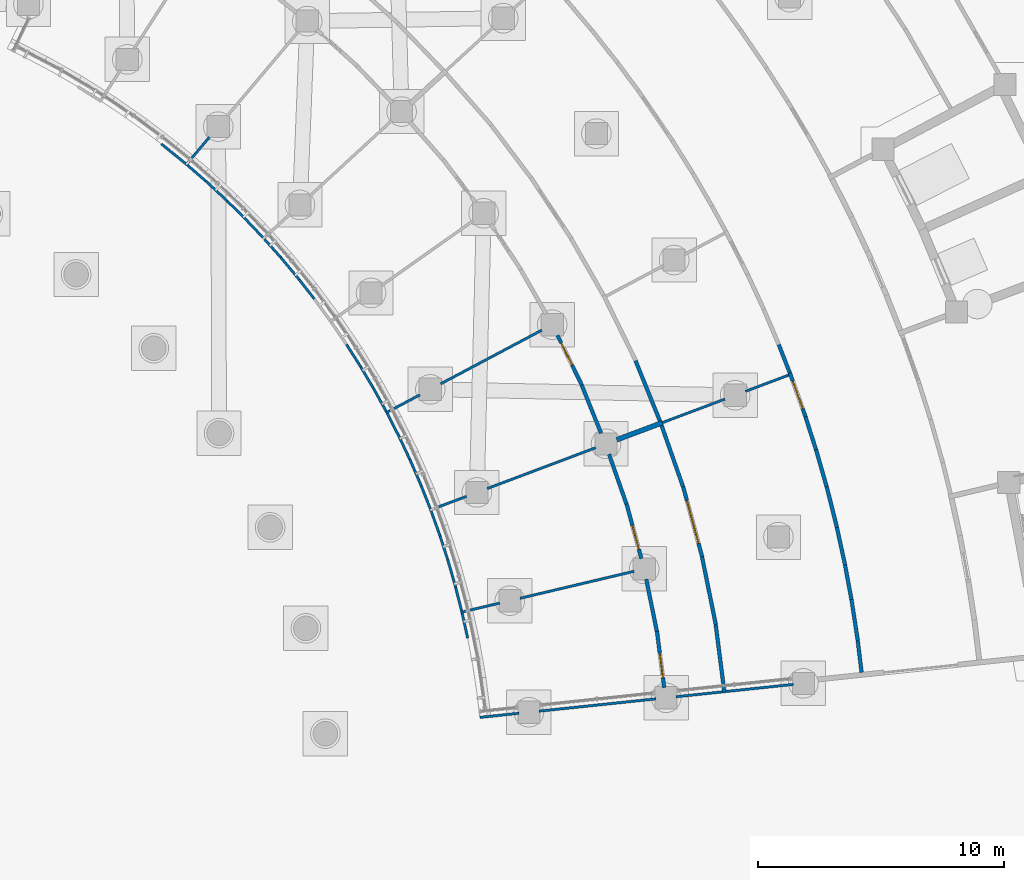
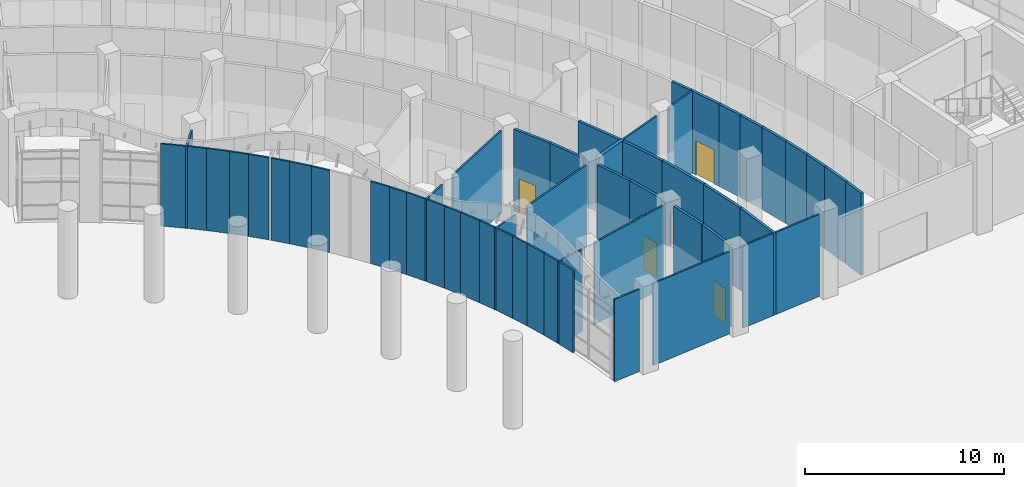
# One storey, part 75 of 146: 54 walls, 5 doors, 5 openings.
"""IFC4 building model written with IfcOpenShell, lengths in metres."""

from ifc_helpers import new_model, si_unit, direction, frame, frame_2d, origin, place, context, subcontext, project, spatial, rectangle, extrude, material, layer, layer_set, type_object, element, fill, save


model = new_model("IFC4")

# Units and contexts
model_context = context("Model", 3, precision=1e-05, world=origin(), true_north=direction((0.0, 1.0)))
body_context = subcontext(model_context, "Body", "Model", "MODEL_VIEW")
ifc_project = project(units=[si_unit("LENGTHUNIT", "METRE"), si_unit("AREAUNIT", "SQUARE_METRE"), si_unit("VOLUMEUNIT", "CUBIC_METRE"), si_unit("PLANEANGLEUNIT", "RADIAN"), si_unit("MASSUNIT", "GRAM", prefix="KILO")], contexts=[model_context])

# Site, building, storey
site_placement = place(None, origin())
site = spatial("IfcSite", under=ifc_project, at=site_placement, CompositionType="ELEMENT")
building_placement = place(site_placement, origin())
building = spatial("IfcBuilding", under=site, at=building_placement, Name="Bougainvillea Quay General Hospital", CompositionType="ELEMENT")
storey_placement = place(building_placement, origin())
storey = spatial("IfcBuildingStorey", under=building, at=storey_placement, Name="L00", CompositionType="ELEMENT", Elevation=0.0)

# Walls
ifc_material_1 = material(Name="Gypsum board partition on steel studs", Category="steel")
ifc_layer_1 = layer(ifc_material_1, 0.10009765625)
ifc_layer_set_1 = layer_set([ifc_layer_1], Name="Gypsum board partition on steel studs")
wall_type_1 = type_object("IfcWallType", Name="Partition 100 Gypsum board partition", PredefinedType="PARTITIONING", material=ifc_layer_set_1)
wall_1_placement = place(storey_placement, frame((153.008544921875, 26.60791015625, 0.0), z_axis=(0.0, 0.0, 1.0), x_axis=(0.99452300046, 0.104517948486, 0.0)))
element("IfcWall", 1, at=wall_1_placement, inside=storey, type_object=wall_type_1, Name="Partition 100 mm", PredefinedType="PARTITIONING", context=body_context, shape_type="SweptSolid", body=[
    extrude(rectangle(XDim=2.742431640625, YDim=0.10009765625, at=frame_2d((1.37109375, 0.0))), origin(), (0.0, 0.0, 1.0), 5.050048828125),
])
ifc_layer_2 = layer(ifc_material_1, 0.10009765625)
ifc_layer_set_2 = layer_set([ifc_layer_2], Name="Gypsum board partition on steel studs")
wall_type_2 = type_object("IfcWallType", Name="Partition 100 Gypsum board partition EI 30", PredefinedType="PARTITIONING", material=ifc_layer_set_2)
wall_2_placement = place(storey_placement, frame((131.078857421875, 47.959716796875, 0.0), z_axis=(0.0, 0.0, 1.0), x_axis=(0.644403525256, 0.764685619479, 0.0)))
element("IfcWall", 2, at=wall_2_placement, inside=storey, type_object=wall_type_2, Name="Partition 100 mm EI 30", PredefinedType="PARTITIONING", context=body_context, shape_type="SweptSolid", body=[
    extrude(rectangle(XDim=1.48779296875, YDim=0.10009765625, at=frame_2d((0.743896484375, 0.0))), origin(), (0.0, 0.0, 1.0), 5.050048828125),
])
wall_3_placement = place(storey_placement, frame((142.2373046875, 29.819580078125, 0.0), z_axis=(0.0, 0.0, 1.0), x_axis=(0.973152848226, 0.230159800984, 0.0)))
element("IfcWall", 3, at=wall_3_placement, inside=storey, type_object=wall_type_2, Name="Partition 100 mm EI 30", PredefinedType="PARTITIONING", context=body_context, shape_type="SweptSolid", body=[
    extrude(rectangle(XDim=1.627197265625, YDim=0.10009765625, at=frame_2d((0.8134765625, 0.0))), origin(), (0.0, 0.0, 1.0), 5.050048828125),
])
wall_4_placement = place(storey_placement, frame((144.643310546875, 30.388916015625, 0.0), z_axis=(0.0, 0.0, 1.0), x_axis=(0.973139038387, 0.230218183398, 0.0)))
element("IfcWall", 4, at=wall_4_placement, inside=storey, type_object=wall_type_2, Name="Partition 100 mm EI 30", PredefinedType="PARTITIONING", context=body_context, shape_type="SweptSolid", body=[
    extrude(rectangle(XDim=4.755126953125, YDim=0.10009765625, at=frame_2d((2.37744140625, 0.0))), origin(), (0.0, 0.0, 1.0), 5.050048828125),
])
wall_5_placement = place(storey_placement, frame((139.19287109375, 37.90771484375, 0.0), z_axis=(0.0, 0.0, 1.0), x_axis=(0.883481589726, 0.468465879884, 0.0)))
element("IfcWall", 5, at=wall_5_placement, inside=storey, type_object=wall_type_2, Name="Partition 100 mm EI 30", PredefinedType="PARTITIONING", context=body_context, shape_type="SweptSolid", body=[
    extrude(rectangle(XDim=1.5712890625, YDim=0.10009765625, at=frame_2d((0.78564453125, 0.0))), origin(), (0.0, 0.0, 1.0), 5.050048828125),
])
wall_6_placement = place(storey_placement, frame((141.427001953125, 39.092529296875, 0.0), z_axis=(0.0, 0.0, 1.0), x_axis=(0.88344099274, 0.46854243388, 0.0)))
element("IfcWall", 6, at=wall_6_placement, inside=storey, type_object=wall_type_2, Name="Partition 100 mm EI 30", PredefinedType="PARTITIONING", context=body_context, shape_type="SweptSolid", body=[
    extrude(rectangle(XDim=4.64208984375, YDim=0.10009765625, at=frame_2d((2.321044921875, 0.0))), origin(), (0.0, 0.0, 1.0), 5.050048828125),
])
wall_7_placement = place(storey_placement, frame((143.012939453125, 25.555908203125, 0.0), z_axis=(0.0, 0.0, 1.0), x_axis=(0.994495375694, 0.104780473964, 0.0)))
element("IfcWall", 7, at=wall_7_placement, inside=storey, type_object=wall_type_2, Name="Partition 100 mm EI 30", PredefinedType="PARTITIONING", context=body_context, shape_type="SweptSolid", body=[
    extrude(rectangle(XDim=1.59375, YDim=0.10009765625, at=frame_2d((0.796875, 0.0))), origin(), (0.0, 0.0, 1.0), 5.050048828125),
])
wall_8_placement = place(storey_placement, frame((145.408203125, 25.80810546875, 0.0), z_axis=(0.0, 0.0, 1.0), x_axis=(0.994509645665, 0.104644945786, 0.0)))
element("IfcWall", 8, at=wall_8_placement, inside=storey, type_object=wall_type_2, Name="Partition 100 mm EI 30", PredefinedType="PARTITIONING", context=body_context, shape_type="SweptSolid", body=[
    extrude(rectangle(XDim=4.78515625, YDim=0.10009765625, at=frame_2d((2.392578125, 0.0))), origin(), (0.0, 0.0, 1.0), 5.050048828125),
])
wall_9_placement = place(storey_placement, frame((140.97314453125, 33.96044921875, 0.0), z_axis=(0.0, 0.0, 1.0), x_axis=(0.935890679388, 0.35229055655, 0.0)))
element("IfcWall", 9, at=wall_9_placement, inside=storey, type_object=wall_type_2, Name="Partition 100 mm EI 30", PredefinedType="PARTITIONING", context=body_context, shape_type="SweptSolid", body=[
    extrude(rectangle(XDim=1.604248046875, YDim=0.10009765625, at=frame_2d((0.80224609375, 0.0))), origin(), (0.0, 0.0, 1.0), 5.050048828125),
])
wall_10_placement = place(storey_placement, frame((143.309326171875, 34.839599609375, 0.0), z_axis=(0.0, 0.0, 1.0), x_axis=(0.935891610639, 0.352288082591, 0.0)))
element("IfcWall", 10, at=wall_10_placement, inside=storey, type_object=wall_type_2, Name="Partition 100 mm EI 30", PredefinedType="PARTITIONING", context=body_context, shape_type="SweptSolid", body=[
    extrude(rectangle(XDim=4.708251953125, YDim=0.10009765625, at=frame_2d((2.35400390625, 0.0))), origin(), (0.0, 0.0, 1.0), 5.050048828125),
])
wall_11_placement = place(storey_placement, frame((150.42724609375, 37.518798828125, 0.0), z_axis=(0.0, 0.0, 1.0), x_axis=(0.935894141782, 0.352281358262, 0.0)))
element("IfcWall", 11, at=wall_11_placement, inside=storey, type_object=wall_type_2, Name="Partition 100 mm EI 30", PredefinedType="PARTITIONING", context=body_context, shape_type="SweptSolid", body=[
    extrude(rectangle(XDim=2.702880859375, YDim=0.10009765625, at=frame_2d((1.3515625, 0.0))), origin(), (0.0, 0.0, 1.0), 5.050048828125),
])
wall_12_placement = place(storey_placement, frame((153.791259765625, 38.78515625, 0.0), z_axis=(0.0, 0.0, 1.0), x_axis=(0.935884008534, 0.35230827775, 0.0)))
element("IfcWall", 12, at=wall_12_placement, inside=storey, type_object=wall_type_2, Name="Partition 100 mm EI 30", PredefinedType="PARTITIONING", context=body_context, shape_type="SweptSolid", body=[
    extrude(rectangle(XDim=1.873779296875, YDim=0.10009765625, at=frame_2d((0.93701171875, 0.0))), origin(), (0.0, 0.0, 1.0), 5.050048828125),
])
wall_13_placement = place(storey_placement, frame((150.97705078125, 26.39404296875, 0.0), z_axis=(0.0, 0.0, 1.0), x_axis=(0.99450757419, 0.104664630505, 0.0)))
element("IfcWall", 13, at=wall_13_placement, inside=storey, type_object=wall_type_2, Name="Partition 100 mm EI 30", PredefinedType="PARTITIONING", context=body_context, shape_type="SweptSolid", body=[
    extrude(rectangle(XDim=1.891845703125, YDim=0.10009765625, at=frame_2d((0.94580078125, 0.0))), origin(), (0.0, 0.0, 1.0), 5.050048828125),
])
wall_14_placement = place(storey_placement, frame((130.090087890625, 48.825927734375, 0.0), z_axis=(0.0, 0.0, 1.0), x_axis=(0.776627985422, -0.629959500492, 0.0)))
element("IfcWall", 14, at=wall_14_placement, inside=storey, type_object=wall_type_2, Name="Partition 100 mm EI 30", PredefinedType="PARTITIONING", context=body_context, shape_type="SweptSolid", body=[
    extrude(rectangle(XDim=1.263427734375, YDim=0.10009765625, at=frame_2d((0.6318359375, 0.0))), origin(), (0.0, 0.0, 1.0), 5.050048828125),
])
wall_15_placement = place(storey_placement, frame((139.260009765625, 37.8857421875, 0.0), z_axis=(0.0, 0.0, 1.0), x_axis=(0.454222477174, -0.890888287738, 0.0)))
element("IfcWall", 15, at=wall_15_placement, inside=storey, type_object=wall_type_2, Name="Partition 100 mm EI 30", PredefinedType="PARTITIONING", context=body_context, shape_type="SweptSolid", body=[
    extrude(rectangle(XDim=1.084716796875, YDim=0.10009765625, at=frame_2d((0.54248046875, 0.0))), origin(), (0.0, 0.0, 1.0), 5.050048828125),
])
wall_16_placement = place(storey_placement, frame((141.705078125, 31.97314453125, 0.0), z_axis=(0.0, 0.0, 1.0), x_axis=(0.276407300439, -0.961040584088, 0.0)))
element("IfcWall", 16, at=wall_16_placement, inside=storey, type_object=wall_type_2, Name="Partition 100 mm EI 30", PredefinedType="PARTITIONING", context=body_context, shape_type="SweptSolid", body=[
    extrude(rectangle(XDim=1.185302734375, YDim=0.10009765625, at=frame_2d((0.5927734375, 0.0))), origin(), (0.0, 0.0, 1.0), 5.050048828125),
])
wall_17_placement = place(storey_placement, frame((133.460693359375, 45.8212890625, 0.0), z_axis=(0.0, 0.0, 1.0), x_axis=(0.688400207225, -0.725331065578, 0.0)))
element("IfcWall", 17, at=wall_17_placement, inside=storey, type_object=wall_type_2, Name="Partition 100 mm EI 30", PredefinedType="PARTITIONING", context=body_context, shape_type="SweptSolid", body=[
    extrude(rectangle(XDim=1.084228515625, YDim=0.10009765625, at=frame_2d((0.5419921875, 0.0))), origin(), (0.0, 0.0, 1.0), 5.050048828125),
])
wall_18_placement = place(storey_placement, frame((134.930908203125, 44.226318359375, 0.0), z_axis=(0.0, 0.0, 1.0), x_axis=(0.639778970268, -0.768558956231, 0.0)))
element("IfcWall", 18, at=wall_18_placement, inside=storey, type_object=wall_type_2, Name="Partition 100 mm EI 30", PredefinedType="PARTITIONING", context=body_context, shape_type="SweptSolid", body=[
    extrude(rectangle(XDim=1.184814453125, YDim=0.10009765625, at=frame_2d((0.59228515625, 0.0))), origin(), (0.0, 0.0, 1.0), 5.050048828125),
])
wall_19_placement = place(storey_placement, frame((137.60302734375, 40.68701171875, 0.0), z_axis=(0.0, 0.0, 1.0), x_axis=(0.53747146193, -0.843281938388, 0.0)))
element("IfcWall", 19, at=wall_19_placement, inside=storey, type_object=wall_type_2, Name="Partition 100 mm EI 30", PredefinedType="PARTITIONING", context=body_context, shape_type="SweptSolid", body=[
    extrude(rectangle(XDim=1.08642578125, YDim=0.10009765625, at=frame_2d((0.543212890625, 0.0))), origin(), (0.0, 0.0, 1.0), 5.050048828125),
])
wall_20_placement = place(storey_placement, frame((138.68896484375, 38.9248046875, 0.0), z_axis=(0.0, 0.0, 1.0), x_axis=(0.482886802116, -0.875682782942, 0.0)))
element("IfcWall", 20, at=wall_20_placement, inside=storey, type_object=wall_type_2, Name="Partition 100 mm EI 30", PredefinedType="PARTITIONING", context=body_context, shape_type="SweptSolid", body=[
    extrude(rectangle(XDim=1.083984375, YDim=0.10009765625, at=frame_2d((0.5419921875, 0.0))), origin(), (0.0, 0.0, 1.0), 5.050048828125),
])
for number, where, z_axis, x_axis, name in (
    (21, (140.172119140625, 36.02880859375, 0.0), (0.0, 0.0, 1.0), (0.396479436871, -0.918043602526, 0.0), "Partition 100 mm EI 30"),
    (22, (131.892333984375, 47.320068359375, 0.0), (0.0, 0.0, 1.0), (0.732793491626, -0.680451099367, 0.0), "Partition 100 mm EI 30"),
):
    element("IfcWall", number, at=place(storey_placement, frame(where, z_axis=z_axis, x_axis=x_axis)), inside=storey, type_object=wall_type_2, Name=name, PredefinedType="PARTITIONING", context=body_context, shape_type="SweptSolid", body=[
        extrude(rectangle(XDim=1.184814453125, YDim=0.10009765625, at=frame_2d((0.59228515625, 0.0))), origin(), (0.0, 0.0, 1.0), 5.050048828125),
    ])
wall_21_placement = place(storey_placement, frame((132.75830078125, 46.513916015625, 0.0), z_axis=(0.0, 0.0, 1.0), x_axis=(0.710804317615, -0.703389808043, 0.0)))
element("IfcWall", 23, at=wall_21_placement, inside=storey, type_object=wall_type_2, Name="Partition 100 mm EI 30", PredefinedType="PARTITIONING", context=body_context, shape_type="SweptSolid", body=[
    extrude(rectangle(XDim=0.98779296875, YDim=0.10009765625, at=frame_2d((0.493896484375, 0.0))), origin(), (0.0, 0.0, 1.0), 5.050048828125),
])
wall_22_placement = place(storey_placement, frame((140.639892578125, 34.94189453125, 0.0), z_axis=(0.0, 0.0, 1.0), x_axis=(0.366901413892, -0.93025983063, 0.0)))
element("IfcWall", 24, at=wall_22_placement, inside=storey, type_object=wall_type_2, Name="Partition 100 mm EI 30", PredefinedType="PARTITIONING", context=body_context, shape_type="SweptSolid", body=[
    extrude(rectangle(XDim=0.985595703125, YDim=0.10009765625, at=frame_2d((0.49267578125, 0.0))), origin(), (0.0, 0.0, 1.0), 5.050048828125),
])
wall_23_placement = place(storey_placement, frame((141.037109375, 33.93017578125, 0.0), z_axis=(0.0, 0.0, 1.0), x_axis=(0.337434932816, -0.941348854631, 0.0)))
element("IfcWall", 25, at=wall_23_placement, inside=storey, type_object=wall_type_2, Name="Partition 100 mm EI 30", PredefinedType="PARTITIONING", context=body_context, shape_type="SweptSolid", body=[
    extrude(rectangle(XDim=1.083740234375, YDim=0.10009765625, at=frame_2d((0.5419921875, 0.0))), origin(), (0.0, 0.0, 1.0), 5.050048828125),
])
wall_24_placement = place(storey_placement, frame((131.1494140625, 47.964599609375, 0.0), z_axis=(0.0, 0.0, 1.0), x_axis=(0.75424788942, -0.656589766373, 0.0)))
element("IfcWall", 26, at=wall_24_placement, inside=storey, type_object=wall_type_2, Name="Partition 100 mm EI 30", PredefinedType="PARTITIONING", context=body_context, shape_type="SweptSolid", body=[
    extrude(rectangle(XDim=0.98486328125, YDim=0.10009765625, at=frame_2d((0.492431640625, 0.0))), origin(), (0.0, 0.0, 1.0), 5.050048828125),
])
wall_25_placement = place(storey_placement, frame((134.27587890625, 44.960205078125, 0.0), z_axis=(0.0, 0.0, 1.0), x_axis=(0.66477897218, -0.747040104779, 0.0)))
element("IfcWall", 27, at=wall_25_placement, inside=storey, type_object=wall_type_2, Name="Partition 100 mm EI 30", PredefinedType="PARTITIONING", context=body_context, shape_type="SweptSolid", body=[
    extrude(rectangle(XDim=0.9853515625, YDim=0.10009765625, at=frame_2d((0.49267578125, 0.0))), origin(), (0.0, 0.0, 1.0), 5.050048828125),
])
wall_26_placement = place(storey_placement, frame((141.40087890625, 32.910888671875, 0.0), z_axis=(0.0, 0.0, 1.0), x_axis=(0.307089469025, -0.951680649175, 0.0)))
element("IfcWall", 28, at=wall_26_placement, inside=storey, type_object=wall_type_2, Name="Partition 100 mm EI 30", PredefinedType="PARTITIONING", context=body_context, shape_type="SweptSolid", body=[
    extrude(rectangle(XDim=0.9873046875, YDim=0.10009765625, at=frame_2d((0.49365234375, 0.0))), origin(), (0.0, 0.0, 1.0), 5.050048828125),
])
wall_27_placement = place(storey_placement, frame((142.031005859375, 30.8349609375, 0.0), z_axis=(0.0, 0.0, 1.0), x_axis=(0.246091023995, -0.969246721898, 0.0)))
element("IfcWall", 29, at=wall_27_placement, inside=storey, type_object=wall_type_2, Name="Partition 100 mm EI 30", PredefinedType="PARTITIONING", context=body_context, shape_type="SweptSolid", body=[
    extrude(rectangle(XDim=0.985107421875, YDim=0.10009765625, at=frame_2d((0.49267578125, 0.0))), origin(), (0.0, 0.0, 1.0), 5.050048828125),
])
wall_28_placement = place(storey_placement, frame((139.750732421875, 36.920166015625, 0.0), z_axis=(0.0, 0.0, 1.0), x_axis=(0.426023266387, -0.904712206448, 0.0)))
element("IfcWall", 30, at=wall_28_placement, inside=storey, type_object=wall_type_2, Name="Partition 100 mm EI 30", PredefinedType="PARTITIONING", context=body_context, shape_type="SweptSolid", body=[
    extrude(rectangle(XDim=0.9873046875, YDim=0.10009765625, at=frame_2d((0.49365234375, 0.0))), origin(), (0.0, 0.0, 1.0), 5.050048828125),
])
wall_29_placement = place(storey_placement, frame((142.296875, 29.781494140625, 0.0), z_axis=(0.0, 0.0, 1.0), x_axis=(0.214929366895, -0.976629595725, 0.0)))
element("IfcWall", 31, at=wall_29_placement, inside=storey, type_object=wall_type_2, Name="Partition 100 mm EI 30", PredefinedType="PARTITIONING", context=body_context, shape_type="SweptSolid", body=[
    extrude(rectangle(XDim=1.03369140625, YDim=0.10009765625, at=frame_2d((0.516845703125, 0.0))), origin(), (0.0, 0.0, 1.0), 5.050048828125),
])
wall_30_placement = place(storey_placement, frame((135.68701171875, 43.31591796875, 0.0), z_axis=(0.0, 0.0, 1.0), x_axis=(0.615941497949, -0.787791895811, 0.0)))
element("IfcWall", 32, at=wall_30_placement, inside=storey, type_object=wall_type_2, Name="Partition 100 mm EI 30", PredefinedType="PARTITIONING", context=body_context, shape_type="SweptSolid", body=[
    extrude(rectangle(XDim=0.9873046875, YDim=0.10009765625, at=frame_2d((0.49365234375, 0.0))), origin(), (0.0, 0.0, 1.0), 5.050048828125),
])
wall_31_placement = place(storey_placement, frame((138.184814453125, 39.771240234375, 0.0), z_axis=(0.0, 0.0, 1.0), x_axis=(0.51019570921, -0.860058334245, 0.0)))
element("IfcWall", 33, at=wall_31_placement, inside=storey, type_object=wall_type_2, Name="Partition 100 mm EI 30", PredefinedType="PARTITIONING", context=body_context, shape_type="SweptSolid", body=[
    extrude(rectangle(XDim=0.98681640625, YDim=0.10009765625, at=frame_2d((0.493408203125, 0.0))), origin(), (0.0, 0.0, 1.0), 5.050048828125),
])

# Wall, opening, door
ifc_material_2 = material(Name="Gypsum board partition on steel studs, insulated", Category="steel")
ifc_layer_3 = layer(ifc_material_2, 0.14990234375)
ifc_layer_set_3 = layer_set([ifc_layer_3], Name="Gypsum board partition on steel studs, insulated")
wall_type_3 = type_object("IfcWallType", Name="Partition 150 Gypsum board partition EI 30", PredefinedType="PARTITIONING", material=ifc_layer_set_3)
wall_32_placement = place(storey_placement, frame((151.264404296875, 34.91650390625, 0.0), z_axis=(0.0, 0.0, 1.0), x_axis=(0.261098222271, -0.965312238774, 0.0)))
wall_32 = element("IfcWall", 34, at=wall_32_placement, inside=storey, type_object=wall_type_3, Name="Partition 150 mm EI 30", PredefinedType="PARTITIONING", context=body_context, shape_type="SweptSolid", body=[
    extrude(rectangle(XDim=2.95751953125, YDim=0.14990234375, at=frame_2d((1.478759765625, 0.0))), origin(), (0.0, 0.0, 1.0), 5.050048828125),
])
opening_1_placement = place(wall_32_placement, frame((0.57861328125, 0.0, 0.0)))
opening_1 = element("IfcOpeningElement", 35, at=opening_1_placement, cuts=wall_32, Name="Opening L00.228", PredefinedType="OPENING", context=body_context, shape_type="SweptSolid", body=[
    extrude(rectangle(XDim=1.800048828125, YDim=2.10009765625, at=frame_2d((0.89990234375, 1.050048828125))), frame((0.0, 0.0849609375, 0.0), z_axis=(0.0, -1.0, 0.0), x_axis=(1.0, 0.0, 0.0)), (0.0, 0.0, 1.0), 0.169921875),
])
ifc_material_3 = material(Name="Solid-core timber door leaves in steel frame", Category="steel")
door_type_1 = type_object("IfcDoorType", Name="Double leaf door 1800x2100", OperationType="DOUBLE_DOOR_SINGLE_SWING", PredefinedType="DOOR", material=ifc_material_3)
door_1_placement = place(opening_1_placement, frame((1.800048828125, 0.0, 0.0), z_axis=(0.0, 0.0, 1.0), x_axis=(-1.0, 0.0, 0.0)))
door_1 = element("IfcDoor", 36, at=door_1_placement, inside=storey, type_object=door_type_1, Name="DT08 L00.228", OperationType="DOUBLE_DOOR_SINGLE_SWING", OverallHeight=2.10009765625, OverallWidth=1.800048828125, PredefinedType="DOOR", context=body_context, shape_type="SweptSolid", body=[
    extrude(rectangle(XDim=1.800048828125, YDim=2.10009765625, at=frame_2d((0.89990234375, 1.050048828125))), frame((0.0, 0.02490234375, 0.0), z_axis=(0.0, -1.0, 0.0), x_axis=(1.0, 0.0, 0.0)), (0.0, 0.0, 1.0), 0.050048828125),
])
fill(opening_1, door_1)

# Walls
wall_33_placement = place(storey_placement, frame((152.031005859375, 32.06494140625, 0.0), z_axis=(0.0, 0.0, 1.0), x_axis=(0.199104225367, -0.979978319883, 0.0)))
element("IfcWall", 37, at=wall_33_placement, inside=storey, type_object=wall_type_3, Name="Partition 150 mm EI 30", PredefinedType="PARTITIONING", context=body_context, shape_type="SweptSolid", body=[
    extrude(rectangle(XDim=2.811767578125, YDim=0.14990234375, at=frame_2d((1.40576171875, 0.0))), origin(), (0.0, 0.0, 1.0), 5.050048828125),
])
wall_34_placement = place(storey_placement, frame((149.3330078125, 40.0302734375, 0.0), z_axis=(0.0, 0.0, 1.0), x_axis=(0.373865497673, -0.927482932269, 0.0)))
element("IfcWall", 38, at=wall_34_placement, inside=storey, type_object=wall_type_3, Name="Partition 150 mm EI 30", PredefinedType="PARTITIONING", context=body_context, shape_type="SweptSolid", body=[
    extrude(rectangle(XDim=2.635009765625, YDim=0.14990234375, at=frame_2d((1.3173828125, 0.0))), origin(), (0.0, 0.0, 1.0), 5.050048828125),
])
wall_35_placement = place(storey_placement, frame((152.5849609375, 29.313720703125, 0.0), z_axis=(0.0, 0.0, 1.0), x_axis=(0.127582082385, -0.991828015462, 0.0)))
element("IfcWall", 39, at=wall_35_placement, inside=storey, type_object=wall_type_3, Name="Partition 150 mm EI 30", PredefinedType="PARTITIONING", context=body_context, shape_type="SweptSolid", body=[
    extrude(rectangle(XDim=2.7861328125, YDim=0.14990234375, at=frame_2d((1.39306640625, 0.0))), origin(), (0.0, 0.0, 1.0), 5.050048828125),
])
wall_36_placement = place(storey_placement, frame((150.3896484375, 37.39599609375, 0.0), z_axis=(0.0, 0.0, 1.0), x_axis=(0.330759074405, -0.943715229663, 0.0)))
element("IfcWall", 40, at=wall_36_placement, inside=storey, type_object=wall_type_3, Name="Partition 150 mm EI 30", PredefinedType="PARTITIONING", context=body_context, shape_type="SweptSolid", body=[
    extrude(rectangle(XDim=2.63427734375, YDim=0.14990234375, at=frame_2d((1.317138671875, 0.0))), origin(), (0.0, 0.0, 1.0), 5.050048828125),
])

# Wall, opening, door
wall_37_placement = place(storey_placement, frame((146.162841796875, 41.059814453125, 0.0), z_axis=(0.0, 0.0, 1.0), x_axis=(0.439946079235, -0.898024190858, 0.0)))
wall_37 = element("IfcWall", 41, at=wall_37_placement, inside=storey, type_object=wall_type_3, Name="Partition 150 mm EI 30", PredefinedType="PARTITIONING", context=body_context, shape_type="SweptSolid", body=[
    extrude(rectangle(XDim=2.24853515625, YDim=0.14990234375, at=frame_2d((1.124267578125, 0.0))), origin(), (0.0, 0.0, 1.0), 5.050048828125),
])
opening_2_placement = place(wall_37_placement, frame((0.345947265625, 0.0, 0.0)))
opening_2 = element("IfcOpeningElement", 42, at=opening_2_placement, cuts=wall_37, Name="Opening L00.283", PredefinedType="OPENING", context=body_context, shape_type="SweptSolid", body=[
    extrude(rectangle(XDim=1.0, YDim=2.10009765625, at=frame_2d((0.5, 1.050048828125))), frame((0.0, 0.0849609375, 0.0), z_axis=(0.0, -1.0, 0.0), x_axis=(1.0, 0.0, 0.0)), (0.0, 0.0, 1.0), 0.169921875),
])
ifc_material_4 = material(Name="Solid-core timber door leaf in steel frame", Category="steel")
door_type_2 = type_object("IfcDoorType", Name="Single leaf door 1000x2100 FD30S", OperationType="NOTDEFINED", PredefinedType="DOOR", material=ifc_material_4)
door_2_placement = place(opening_2_placement, frame((1.0, 0.0, 0.0), z_axis=(0.0, 0.0, 1.0), x_axis=(-1.0, 0.0, 0.0)))
door_2 = element("IfcDoor", 43, at=door_2_placement, inside=storey, type_object=door_type_2, Name="DT15 L00.283", OperationType="SINGLE_SWING_RIGHT", OverallHeight=2.10009765625, OverallWidth=1.0, PredefinedType="DOOR", context=body_context, shape_type="SweptSolid", body=[
    extrude(rectangle(XDim=1.0, YDim=2.10009765625, at=frame_2d((0.5, 1.050048828125))), frame((0.0, 0.02490234375, 0.0), z_axis=(0.0, -1.0, 0.0), x_axis=(1.0, 0.0, 0.0)), (0.0, 0.0, 1.0), 0.050048828125),
])
fill(opening_2, door_2)

wall_38_placement = place(storey_placement, frame((148.968505859375, 34.21533203125, 0.0), z_axis=(0.0, 0.0, 1.0), x_axis=(0.26138863195, -0.965233641709, 0.0)))
wall_38 = element("IfcWall", 44, at=wall_38_placement, inside=storey, type_object=wall_type_3, Name="Partition 150 mm EI 30", PredefinedType="PARTITIONING", context=body_context, shape_type="SweptSolid", body=[
    extrude(rectangle(XDim=2.294921875, YDim=0.14990234375, at=frame_2d((1.1474609375, 0.0))), origin(), (0.0, 0.0, 1.0), 5.050048828125),
])
opening_3_placement = place(wall_38_placement, frame((0.902099609375, 0.0, 0.0)))
opening_3 = element("IfcOpeningElement", 45, at=opening_3_placement, cuts=wall_38, Name="Opening L00.284", PredefinedType="OPENING", context=body_context, shape_type="SweptSolid", body=[
    extrude(rectangle(XDim=1.0, YDim=2.10009765625, at=frame_2d((0.5, 1.050048828125))), frame((0.0, 0.0849609375, 0.0), z_axis=(0.0, -1.0, 0.0), x_axis=(1.0, 0.0, 0.0)), (0.0, 0.0, 1.0), 0.169921875),
])
door_3_placement = place(opening_3_placement, frame((1.0, 0.0, 0.0), z_axis=(0.0, 0.0, 1.0), x_axis=(-1.0, 0.0, 0.0)))
door_3 = element("IfcDoor", 46, at=door_3_placement, inside=storey, type_object=door_type_2, Name="DT15 L00.284", OperationType="SINGLE_SWING_LEFT", OverallHeight=2.10009765625, OverallWidth=1.0, PredefinedType="DOOR", context=body_context, shape_type="SweptSolid", body=[
    extrude(rectangle(XDim=1.0, YDim=2.10009765625, at=frame_2d((0.5, 1.050048828125))), frame((0.0, 0.02490234375, 0.0), z_axis=(0.0, -1.0, 0.0), x_axis=(1.0, 0.0, 0.0)), (0.0, 0.0, 1.0), 0.050048828125),
])
fill(opening_3, door_3)

wall_39_placement = place(storey_placement, frame((150.200439453125, 29.055419921875, 0.0), z_axis=(0.0, 0.0, 1.0), x_axis=(0.127773812466, -0.991803333755, 0.0)))
wall_39 = element("IfcWall", 47, at=wall_39_placement, inside=storey, type_object=wall_type_3, Name="Partition 150 mm EI 30", PredefinedType="PARTITIONING", context=body_context, shape_type="SweptSolid", body=[
    extrude(rectangle(XDim=2.31396484375, YDim=0.14990234375, at=frame_2d((1.156982421875, 0.0))), origin(), (0.0, 0.0, 1.0), 5.050048828125),
])
opening_4_placement = place(wall_39_placement, frame((0.90185546875, 0.0, 0.0)))
opening_4 = element("IfcOpeningElement", 48, at=opening_4_placement, cuts=wall_39, Name="Opening L00.285", PredefinedType="OPENING", context=body_context, shape_type="SweptSolid", body=[
    extrude(rectangle(XDim=1.0, YDim=2.10009765625, at=frame_2d((0.5, 1.050048828125))), frame((0.0, 0.0849609375, 0.0), z_axis=(0.0, -1.0, 0.0), x_axis=(1.0, 0.0, 0.0)), (0.0, 0.0, 1.0), 0.169921875),
])
door_4_placement = place(opening_4_placement, frame((1.0, 0.0, 0.0), z_axis=(0.0, 0.0, 1.0), x_axis=(-1.0, 0.0, 0.0)))
door_4 = element("IfcDoor", 49, at=door_4_placement, inside=storey, type_object=door_type_2, Name="DT15 L00.285", OperationType="SINGLE_SWING_LEFT", OverallHeight=2.10009765625, OverallWidth=1.0, PredefinedType="DOOR", context=body_context, shape_type="SweptSolid", body=[
    extrude(rectangle(XDim=1.0, YDim=2.10009765625, at=frame_2d((0.5, 1.050048828125))), frame((0.0, 0.02490234375, 0.0), z_axis=(0.0, -1.0, 0.0), x_axis=(1.0, 0.0, 0.0)), (0.0, 0.0, 1.0), 0.050048828125),
])
fill(opening_4, door_4)

# Walls
wall_40_placement = place(storey_placement, frame((147.14501953125, 39.043212890625, 0.0), z_axis=(0.0, 0.0, 1.0), x_axis=(0.373899406404, -0.927469263043, 0.0)))
element("IfcWall", 50, at=wall_40_placement, inside=storey, type_object=wall_type_3, Name="Partition 150 mm EI 30", PredefinedType="PARTITIONING", context=body_context, shape_type="SweptSolid", body=[
    extrude(rectangle(XDim=2.113037109375, YDim=0.14990234375, at=frame_2d((1.056640625, 0.0))), origin(), (0.0, 0.0, 1.0), 5.050048828125),
])
wall_41_placement = place(storey_placement, frame((148.256591796875, 36.231689453125, 0.0), z_axis=(0.0, 0.0, 1.0), x_axis=(0.330477279651, -0.943813947574, 0.0)))
element("IfcWall", 51, at=wall_41_placement, inside=storey, type_object=wall_type_3, Name="Partition 150 mm EI 30", PredefinedType="PARTITIONING", context=body_context, shape_type="SweptSolid", body=[
    extrude(rectangle(XDim=2.14306640625, YDim=0.14990234375, at=frame_2d((1.071533203125, 0.0))), origin(), (0.0, 0.0, 1.0), 5.050048828125),
])
wall_42_placement = place(storey_placement, frame((149.76611328125, 31.16650390625, 0.0), z_axis=(0.0, 0.0, 1.0), x_axis=(0.199027700979, -0.97999386439, 0.0)))
element("IfcWall", 52, at=wall_42_placement, inside=storey, type_object=wall_type_3, Name="Partition 150 mm EI 30", PredefinedType="PARTITIONING", context=body_context, shape_type="SweptSolid", body=[
    extrude(rectangle(XDim=2.16015625, YDim=0.14990234375, at=frame_2d((1.080078125, 0.0))), origin(), (0.0, 0.0, 1.0), 5.050048828125),
])

# Wall, opening, door
wall_43_placement = place(storey_placement, frame((155.5908203125, 39.54248046875, 0.0), z_axis=(0.0, 0.0, 1.0), x_axis=(0.336874131091, -0.941549690564, 0.0)))
wall_43 = element("IfcWall", 53, at=wall_43_placement, inside=storey, type_object=wall_type_3, Name="Partition 150 mm EI 30", PredefinedType="PARTITIONING", context=body_context, shape_type="SweptSolid", body=[
    extrude(rectangle(XDim=1.89794921875, YDim=0.14990234375, at=frame_2d((0.948974609375, 0.0))), origin(), (0.0, 0.0, 1.0), 5.050048828125),
])
opening_5_placement = place(wall_43_placement, frame((0.34912109375, 0.0, 0.0)))
opening_5 = element("IfcOpeningElement", 54, at=opening_5_placement, cuts=wall_43, Name="Opening L00.242", PredefinedType="OPENING", context=body_context, shape_type="SweptSolid", body=[
    extrude(rectangle(XDim=1.199951171875, YDim=2.10009765625, at=frame_2d((0.60009765625, 1.050048828125))), frame((0.0, 0.0849609375, 0.0), z_axis=(0.0, -1.0, 0.0), x_axis=(1.0, 0.0, 0.0)), (0.0, 0.0, 1.0), 0.169921875),
])
door_type_3 = type_object("IfcDoorType", Name="Single leaf door 1200x2100", OperationType="NOTDEFINED", PredefinedType="DOOR", material=ifc_material_4)
door_5_placement = place(opening_5_placement, origin())
door_5 = element("IfcDoor", 55, at=door_5_placement, inside=storey, type_object=door_type_3, Name="DT13 L00.242", OperationType="SINGLE_SWING_RIGHT", OverallHeight=2.10009765625, OverallWidth=1.199951171875, PredefinedType="DOOR", context=body_context, shape_type="SweptSolid", body=[
    extrude(rectangle(XDim=1.199951171875, YDim=2.10009765625, at=frame_2d((0.60009765625, 1.050048828125))), frame((0.0, 0.02490234375, 0.0), z_axis=(0.0, -1.0, 0.0), x_axis=(1.0, 0.0, 0.0)), (0.0, 0.0, 1.0), 0.050048828125),
])
fill(opening_5, door_5)

# Walls
wall_44_placement = place(storey_placement, frame((157.088623046875, 34.914794921875, 0.0), z_axis=(0.0, 0.0, 1.0), x_axis=(0.243846269547, -0.969813898038, 0.0)))
element("IfcWall", 56, at=wall_44_placement, inside=storey, type_object=wall_type_3, Name="Partition 150 mm EI 30", PredefinedType="PARTITIONING", context=body_context, shape_type="SweptSolid", body=[
    extrude(rectangle(XDim=1.708984375, YDim=0.14990234375, at=frame_2d((0.8544921875, 0.0))), origin(), (0.0, 0.0, 1.0), 5.050048828125),
])
wall_45_placement = place(storey_placement, frame((157.50244140625, 33.2587890625, 0.0), z_axis=(0.0, 0.0, 1.0), x_axis=(0.213617594112, -0.976917357552, 0.0)))
element("IfcWall", 57, at=wall_45_placement, inside=storey, type_object=wall_type_3, Name="Partition 150 mm EI 30", PredefinedType="PARTITIONING", context=body_context, shape_type="SweptSolid", body=[
    extrude(rectangle(XDim=1.561279296875, YDim=0.14990234375, at=frame_2d((0.78076171875, 0.0))), origin(), (0.0, 0.0, 1.0), 5.050048828125),
])
wall_46_placement = place(storey_placement, frame((158.092529296875, 30.34912109375, 0.0), z_axis=(0.0, 0.0, 1.0), x_axis=(0.15143450376, -0.98846729388, 0.0)))
element("IfcWall", 58, at=wall_46_placement, inside=storey, type_object=wall_type_3, Name="Partition 150 mm EI 30", PredefinedType="PARTITIONING", context=body_context, shape_type="SweptSolid", body=[
    extrude(rectangle(XDim=1.708984375, YDim=0.14990234375, at=frame_2d((0.8544921875, 0.0))), origin(), (0.0, 0.0, 1.0), 5.050048828125),
])
wall_47_placement = place(storey_placement, frame((156.658447265625, 36.4130859375, 0.0), z_axis=(0.0, 0.0, 1.0), x_axis=(0.27445261009, -0.961600626463, 0.0)))
element("IfcWall", 59, at=wall_47_placement, inside=storey, type_object=wall_type_3, Name="Partition 150 mm EI 30", PredefinedType="PARTITIONING", context=body_context, shape_type="SweptSolid", body=[
    extrude(rectangle(XDim=1.561279296875, YDim=0.14990234375, at=frame_2d((0.78076171875, 0.0))), origin(), (0.0, 0.0, 1.0), 5.050048828125),
])
wall_48_placement = place(storey_placement, frame((156.22705078125, 37.7568359375, 0.0), z_axis=(0.0, 0.0, 1.0), x_axis=(0.304180257637, -0.95261449226, 0.0)))
element("IfcWall", 60, at=wall_48_placement, inside=storey, type_object=wall_type_3, Name="Partition 150 mm EI 30", PredefinedType="PARTITIONING", context=body_context, shape_type="SweptSolid", body=[
    extrude(rectangle(XDim=1.413330078125, YDim=0.14990234375, at=frame_2d((0.70654296875, 0.0))), origin(), (0.0, 0.0, 1.0), 5.050048828125),
])
wall_49_placement = place(storey_placement, frame((157.833251953125, 31.735595703125, 0.0), z_axis=(0.0, 0.0, 1.0), x_axis=(0.182305830885, -0.98324187463, 0.0)))
element("IfcWall", 61, at=wall_49_placement, inside=storey, type_object=wall_type_3, Name="Partition 150 mm EI 30", PredefinedType="PARTITIONING", context=body_context, shape_type="SweptSolid", body=[
    extrude(rectangle(XDim=1.412841796875, YDim=0.14990234375, at=frame_2d((0.70654296875, 0.0))), origin(), (0.0, 0.0, 1.0), 5.050048828125),
])
wall_50_placement = place(storey_placement, frame((158.348876953125, 28.661865234375, 0.0), z_axis=(0.0, 0.0, 1.0), x_axis=(0.12064861377, -0.992695276505, 0.0)))
element("IfcWall", 62, at=wall_50_placement, inside=storey, type_object=wall_type_3, Name="Partition 150 mm EI 30", PredefinedType="PARTITIONING", context=body_context, shape_type="SweptSolid", body=[
    extrude(rectangle(XDim=1.287109375, YDim=0.14990234375, at=frame_2d((0.6435546875, 0.0))), origin(), (0.0, 0.0, 1.0), 5.050048828125),
])
wall_51_placement = place(storey_placement, frame((155.1435546875, 40.68017578125, 0.0), z_axis=(0.0, 0.0, 1.0), x_axis=(0.364264029016, -0.931295719503, 0.0)))
element("IfcWall", 63, at=wall_51_placement, inside=storey, type_object=wall_type_3, Name="Partition 150 mm EI 30", PredefinedType="PARTITIONING", context=body_context, shape_type="SweptSolid", body=[
    extrude(rectangle(XDim=1.224609375, YDim=0.14990234375, at=frame_2d((0.6123046875, 0.0))), origin(), (0.0, 0.0, 1.0), 5.050048828125),
])
ifc_material_5 = material(Name="Fire-rated autoclaved aerated block wall, plastered")
ifc_layer_4 = layer(ifc_material_5, 0.199951171875)
ifc_layer_set_4 = layer_set([ifc_layer_4], Name="Fire-rated autoclaved aerated block wall, plastered")
wall_type_4 = type_object("IfcWallType", Name="Partition 200 Fire-rated autoclaved aerated block wall EI 120", PredefinedType="SOLIDWALL", material=ifc_layer_set_4)
wall_52_placement = place(storey_placement, frame((148.5673828125, 36.81884765625, 0.0), z_axis=(0.0, 0.0, 1.0), x_axis=(0.935934561344, 0.352173958268, 0.0)))
element("IfcWall", 64, at=wall_52_placement, inside=storey, type_object=wall_type_4, Name="Partition 200 mm EI 120", PredefinedType="SOLIDWALL", context=body_context, shape_type="SweptSolid", body=[
    extrude(rectangle(XDim=1.986083984375, YDim=0.199951171875, at=frame_2d((0.9931640625, 0.0))), origin(), (0.0, 0.0, 1.0), 5.050048828125),
])

save(model, "model.ifc")
